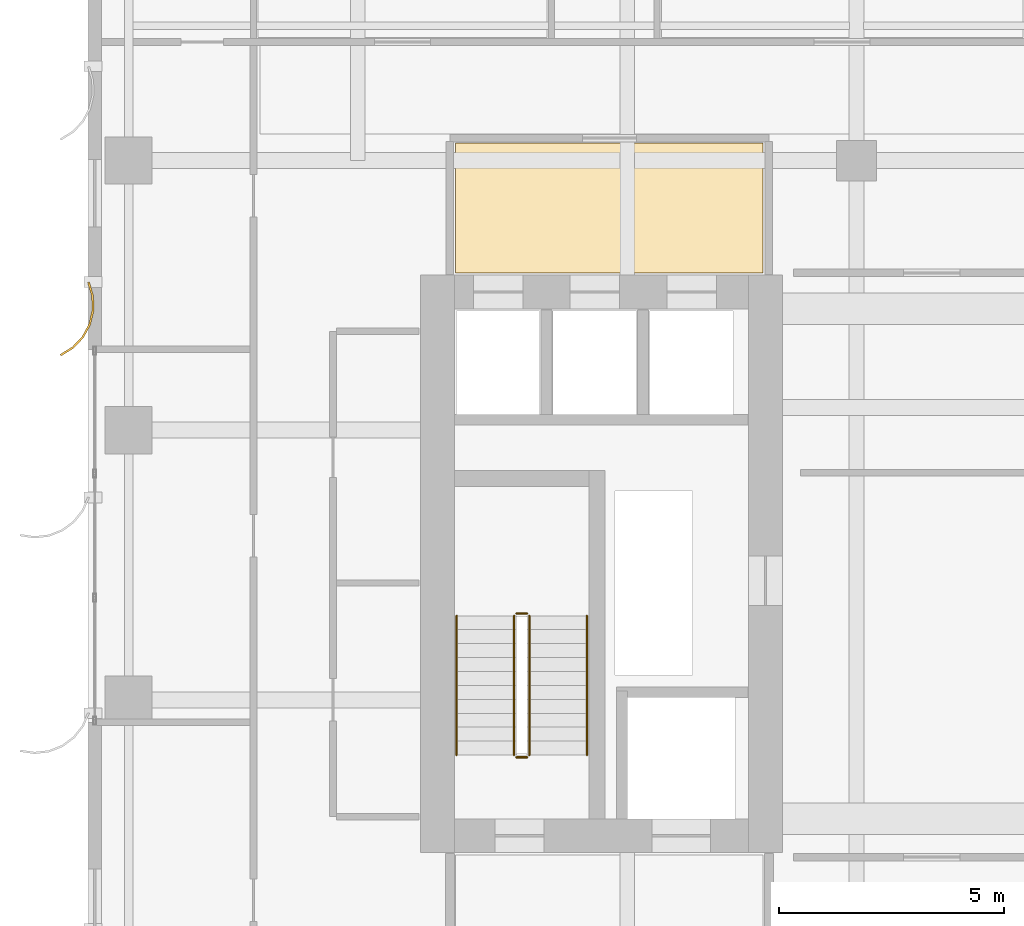
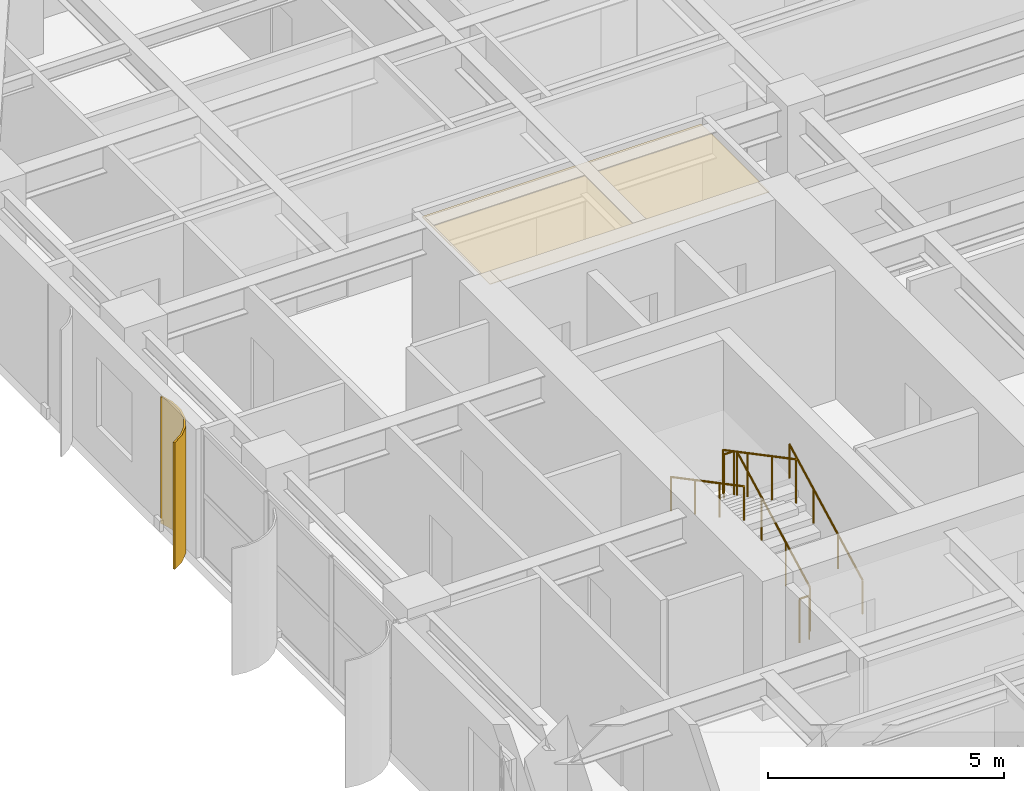
# One storey, part 20 of 22: 6 railings, 1 covering, 1 shading device.
"""IFC4 building model written with IfcOpenShell, lengths in metres."""

from ifc_helpers import new_model, si_unit, direction, frame, origin, origin_2d, place, context, subcontext, project, spatial, polyline, circle, outline, extrude, source, transform, mapped, material, layer, layer_set, type_object, element, save


model = new_model("IFC4")

# Units and contexts
model_context = context("Model", 3, precision=1e-05, world=origin(), true_north=direction((0.0, 1.0)))
body_context = subcontext(model_context, "Body", "Model", "MODEL_VIEW")
ifc_project = project(units=[si_unit("LENGTHUNIT", "METRE"), si_unit("AREAUNIT", "SQUARE_METRE"), si_unit("VOLUMEUNIT", "CUBIC_METRE"), si_unit("PLANEANGLEUNIT", "RADIAN"), si_unit("MASSUNIT", "GRAM", prefix="KILO")], contexts=[model_context])

# Site, building, storey
site_placement = place(None, origin())
site = spatial("IfcSite", under=ifc_project, at=site_placement, CompositionType="ELEMENT")
building_placement = place(site_placement, origin())
building = spatial("IfcBuilding", under=site, at=building_placement, Name="Khoralis Quay Care Tower", CompositionType="ELEMENT")
storey_placement = place(building_placement, frame((0.0, 0.0, 98.10009765625)))
storey = spatial("IfcBuildingStorey", under=building, at=storey_placement, Name="L25", CompositionType="ELEMENT", Elevation=98.10009765625)

# Covering
ifc_material_1 = material(Name="Mineral-fibre acoustic ceiling tile")
ifc_layer_1 = layer(ifc_material_1, 0.01806640625)
ifc_layer_set_1 = layer_set([ifc_layer_1], Name="Mineral-fibre acoustic ceiling tile")
covering_type = type_object("IfcCoveringType", Name="COV-CEIL-AC18", PredefinedType="CEILING", material=ifc_layer_set_1)
covering_placement = place(storey_placement, frame((0.0, 0.0, 3.19189453125)))
element("IfcCovering", 1, at=covering_placement, inside=storey, type_object=covering_type, Name="Suspended Acoustic Ceiling SP-L25-LLOB-W", PredefinedType="CEILING", context=body_context, shape_type="SweptSolid", body=[
    extrude(outline(polyline([(8.179931640625, 27.5), (15.02001953125, 27.5), (15.02001953125, 30.389892578125), (8.179931640625, 30.389892578125), (8.179931640625, 27.5)])), origin(), (0.0, 0.0, 1.0), 0.01806640625),
])

# Railings
ifc_material_2 = material(Name="Brushed stainless steel", Category="steel")
railing_type_1 = type_object("IfcRailingType", Name="RL-GUARD-1150", PredefinedType="GUARDRAIL", material=ifc_material_2)
railing_1_placement = place(storey_placement, frame((9.820068359375, 16.77001953125, 0.16357421875)))
element("IfcRailing", 2, at=railing_1_placement, inside=storey, type_object=railing_type_1, Name="L25 ST-T1 stair guard 1", PredefinedType="GUARDRAIL", context=body_context, shape_type="SweptSolid", body=[
    extrude(circle(Radius=0.02392578125, at=origin_2d()), frame((0.0, 0.0, 1.1259765625), z_axis=(0.0, 0.884376766648, 0.46677375099), x_axis=(-1.0, 0.0, 0.0)), (0.0, 0.0, 1.0), 3.50537109375),
    extrude(circle(Radius=0.02099609375, at=origin_2d()), origin(), (0.0, 0.0, 1.0), 1.101806640625),
    extrude(circle(Radius=0.02099609375, at=origin_2d()), frame((0.0, 1.033447265625, 0.54541015625)), (0.0, 0.0, 1.0), 1.101806640625),
    extrude(circle(Radius=0.02099609375, at=origin_2d()), frame((0.0, 2.066650390625, 1.0908203125)), (0.0, 0.0, 1.0), 1.101806640625),
    extrude(circle(Radius=0.02099609375, at=origin_2d()), frame((0.0, 3.10009765625, 1.63623046875)), (0.0, 0.0, 1.0), 1.101806640625),
])
railing_2_placement = place(storey_placement, frame((9.77001953125, 19.919921875, 1.7998046875)))
element("IfcRailing", 3, at=railing_2_placement, inside=storey, type_object=railing_type_1, Name="L25 ST-T1 stair guard 2", PredefinedType="GUARDRAIL", context=body_context, shape_type="SweptSolid", body=[
    extrude(circle(Radius=0.02392578125, at=origin_2d()), frame((0.0, 0.0, 1.1259765625), z_axis=(-1.0, 0.0, 0.0), x_axis=(0.0, -1.0, 0.0)), (0.0, 0.0, 1.0), 0.239990234375),
    extrude(circle(Radius=0.02099609375, at=origin_2d()), origin(), (0.0, 0.0, 1.0), 1.101806640625),
    extrude(circle(Radius=0.02099609375, at=origin_2d()), frame((-0.239990234375, 0.0, 0.0)), (0.0, 0.0, 1.0), 1.101806640625),
])
railing_3_placement = place(storey_placement, frame((9.47998046875, 19.8701171875, 1.963623046875)))
element("IfcRailing", 4, at=railing_3_placement, inside=storey, type_object=railing_type_1, Name="L25 ST-T1 stair guard 3", PredefinedType="GUARDRAIL", context=body_context, shape_type="SweptSolid", body=[
    extrude(circle(Radius=0.02392578125, at=origin_2d()), frame((0.0, 0.0, 1.1259765625), z_axis=(0.0, -0.884376766648, 0.46677375099), x_axis=(1.0, 0.0, 0.0)), (0.0, 0.0, 1.0), 3.50537109375),
    extrude(circle(Radius=0.02099609375, at=origin_2d()), origin(), (0.0, 0.0, 1.0), 1.101806640625),
    extrude(circle(Radius=0.02099609375, at=origin_2d()), frame((0.0, -1.033447265625, 0.54541015625)), (0.0, 0.0, 1.0), 1.101806640625),
    extrude(circle(Radius=0.02099609375, at=origin_2d()), frame((0.0, -2.066650390625, 1.0908203125)), (0.0, 0.0, 1.0), 1.101806640625),
    extrude(circle(Radius=0.02099609375, at=origin_2d()), frame((0.0, -3.10009765625, 1.63623046875)), (0.0, 0.0, 1.0), 1.101806640625),
])
railing_4_placement = place(storey_placement, frame((9.77001953125, 16.719970703125, 0.0)))
element("IfcRailing", 5, at=railing_4_placement, inside=storey, type_object=railing_type_1, Name="L25 ST-T1 stair guard 4", PredefinedType="GUARDRAIL", context=body_context, shape_type="SweptSolid", body=[
    extrude(circle(Radius=0.02392578125, at=origin_2d()), frame((0.0, 0.0, 1.1259765625), z_axis=(-1.0, 0.0, 0.0), x_axis=(0.0, -1.0, 0.0)), (0.0, 0.0, 1.0), 0.239990234375),
    extrude(circle(Radius=0.02099609375, at=origin_2d()), origin(), (0.0, 0.0, 1.0), 1.101806640625),
    extrude(circle(Radius=0.02099609375, at=origin_2d()), frame((-0.239990234375, 0.0, 0.0)), (0.0, 0.0, 1.0), 1.101806640625),
])
railing_type_2 = type_object("IfcRailingType", Name="RL-HAND-900", PredefinedType="HANDRAIL", material=ifc_material_2)
railing_5_placement = place(storey_placement, frame((11.10009765625, 16.77001953125, 0.16357421875)))
element("IfcRailing", 6, at=railing_5_placement, inside=storey, type_object=railing_type_2, Name="L25 ST-T1 stair handrail 1", PredefinedType="HANDRAIL", context=body_context, shape_type="SweptSolid", body=[
    extrude(circle(Radius=0.02392578125, at=origin_2d()), frame((0.0, 0.0, 0.8759765625), z_axis=(0.0, 0.884376766648, 0.46677375099), x_axis=(-1.0, 0.0, 0.0)), (0.0, 0.0, 1.0), 3.50537109375),
    extrude(circle(Radius=0.02099609375, at=origin_2d()), origin(), (0.0, 0.0, 1.0), 0.851806640625),
    extrude(circle(Radius=0.02099609375, at=origin_2d()), frame((0.0, 1.033447265625, 0.54541015625)), (0.0, 0.0, 1.0), 0.851806640625),
    extrude(circle(Radius=0.02099609375, at=origin_2d()), frame((0.0, 2.066650390625, 1.0908203125)), (0.0, 0.0, 1.0), 0.851806640625),
    extrude(circle(Radius=0.02099609375, at=origin_2d()), frame((0.0, 3.10009765625, 1.63623046875)), (0.0, 0.0, 1.0), 0.851806640625),
])
railing_6_placement = place(storey_placement, frame((8.199951171875, 19.8701171875, 1.963623046875)))
element("IfcRailing", 7, at=railing_6_placement, inside=storey, type_object=railing_type_2, Name="L25 ST-T1 stair handrail 2", PredefinedType="HANDRAIL", context=body_context, shape_type="SweptSolid", body=[
    extrude(circle(Radius=0.02392578125, at=origin_2d()), frame((0.0, 0.0, 0.8759765625), z_axis=(0.0, -0.884376766648, 0.46677375099), x_axis=(1.0, 0.0, 0.0)), (0.0, 0.0, 1.0), 3.50537109375),
    extrude(circle(Radius=0.02099609375, at=origin_2d()), origin(), (0.0, 0.0, 1.0), 0.851806640625),
    extrude(circle(Radius=0.02099609375, at=origin_2d()), frame((0.0, -1.033447265625, 0.54541015625)), (0.0, 0.0, 1.0), 0.851806640625),
    extrude(circle(Radius=0.02099609375, at=origin_2d()), frame((0.0, -2.066650390625, 1.0908203125)), (0.0, 0.0, 1.0), 0.851806640625),
    extrude(circle(Radius=0.02099609375, at=origin_2d()), frame((0.0, -3.10009765625, 1.63623046875)), (0.0, 0.0, 1.0), 0.851806640625),
])

# Shading device
ifc_material_3 = material(Name="Brushed pale anodised aluminium", Category="aluminium")
ifc_layer_2 = layer(ifc_material_3, 0.044921875)
ifc_layer_set_2 = layer_set([ifc_layer_2], Name="Brushed pale anodised aluminium")
shading_device_type = type_object("IfcShadingDeviceType", Name="SHD-FIN-1250", PredefinedType="USERDEFINED", material=ifc_layer_set_2)
shared_shape = source(origin(), body_context, "Body", "SweptSolid", [
    extrude(outline(polyline([(0.0, 0.0), (-0.0927734375, 0.31298828125), (-0.101318359375, 0.63916015625), (-0.025146484375, 0.956298828125), (0.130615234375, 1.2431640625), (0.355224609375, 1.479736328125), (0.633544921875, 1.650390625), (0.65185546875, 1.609130859375), (0.383544921875, 1.44482421875), (0.1669921875, 1.216796875), (0.01708984375, 0.940185546875), (-0.056396484375, 0.63427734375), (-0.04833984375, 0.31982421875), (0.041015625, 0.018310546875), (0.0, 0.0)])), origin(), (0.0, 0.0, 1.0), 3.27978515625),
])
shading_device_placement = place(storey_placement, frame((0.030029296875, 27.300048828125, 0.02001953125), z_axis=(0.0, 0.0, 1.0), x_axis=(-1.0, 0.0, 0.0)))
element("IfcShadingDevice", 8, at=shading_device_placement, inside=storey, type_object=shading_device_type, Name="L25 Curved Solar Fin P1E15-03", ObjectType="FIN", PredefinedType="USERDEFINED", context=body_context, shape_type="MappedRepresentation", body=[
    mapped(shared_shape, transform((0.0, 0.0, 0.0), scale=1.0)),
])

save(model, "model.ifc")
